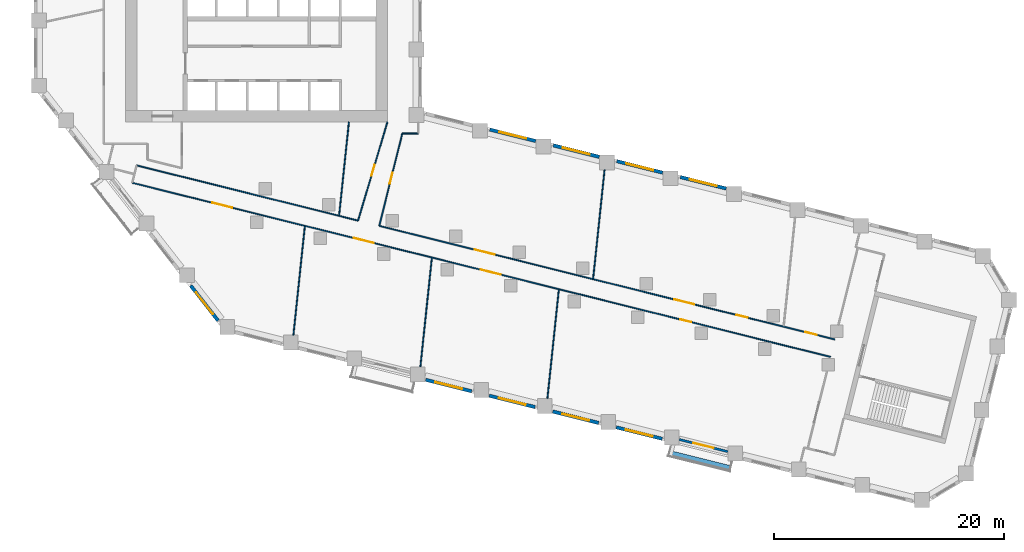
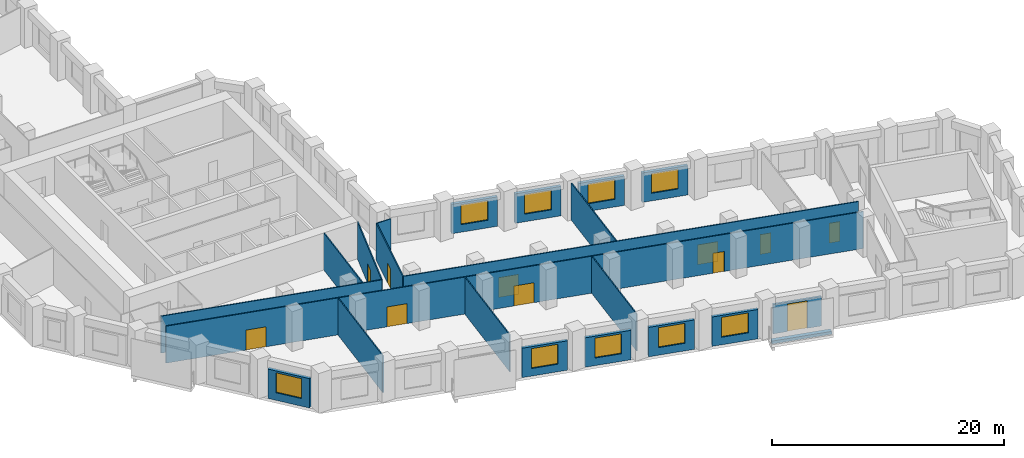
# One storey, part 3 of 11: 22 walls, 11 doors, 9 windows, 20 openings.
"""IFC4 building model written with IfcOpenShell, lengths in metres."""

from ifc_helpers import new_model, si_unit, direction, frame, frame_2d, origin, place, context, subcontext, project, spatial, rectangle, extrude, material, layer, layer_set, type_object, element, fill, save


model = new_model("IFC4")

# Units and contexts
model_context = context("Model", 3, precision=1e-05, world=origin(), true_north=direction((0.0, 1.0)))
body_context = subcontext(model_context, "Body", "Model", "MODEL_VIEW")
ifc_project = project(units=[si_unit("LENGTHUNIT", "METRE"), si_unit("AREAUNIT", "SQUARE_METRE"), si_unit("VOLUMEUNIT", "CUBIC_METRE"), si_unit("PLANEANGLEUNIT", "RADIAN"), si_unit("MASSUNIT", "GRAM", prefix="KILO")], contexts=[model_context])

# Site, building, storey
site_placement = place(None, origin())
site = spatial("IfcSite", under=ifc_project, at=site_placement, CompositionType="ELEMENT")
building_placement = place(site_placement, origin())
building = spatial("IfcBuilding", under=site, at=building_placement, Name="Meshkara Civic Tower", CompositionType="ELEMENT")
storey_placement = place(building_placement, frame((0.0, 0.0, 139.199951171875)))
storey = spatial("IfcBuildingStorey", under=building, at=storey_placement, Name="L31", CompositionType="ELEMENT", Elevation=139.199951171875)

# Wall, openings, doors
ifc_material_1 = material(Name="Corridor wall 100")
ifc_layer_1 = layer(ifc_material_1, 0.10009765625)
ifc_layer_set_1 = layer_set([ifc_layer_1], Name="Corridor wall 100")
wall_type_1 = type_object("IfcWallType", Name="Corridor wall 100", PredefinedType="PARTITIONING", material=ifc_layer_set_1)
wall_1_placement = place(storey_placement, frame((8.5791015625, 8.802978515625, 0.0), z_axis=(0.0, 0.0, 1.0), x_axis=(0.970298569476, -0.241910491863, 0.0)))
wall_1 = element("IfcWall", 1, at=wall_1_placement, inside=storey, type_object=wall_type_1, Name="L31-W006", PredefinedType="PARTITIONING", context=body_context, shape_type="SweptSolid", body=[
    extrude(rectangle(XDim=62.675537109375, YDim=0.10009765625, at=frame_2d((31.337890625, 0.0))), origin(), (0.0, 0.0, 1.0), 3.900146484375),
])
opening_1_placement = place(wall_1_placement, frame((49.173095703125, 0.0, 0.0)))
opening_1 = element("IfcOpeningElement", 2, at=opening_1_placement, cuts=wall_1, Name="Opening L31-D004", PredefinedType="OPENING", context=body_context, shape_type="SweptSolid", body=[
    extrude(rectangle(XDim=1.0, YDim=2.10009765625, at=frame_2d((0.5, 1.050048828125))), frame((0.0, 0.06005859375, 0.0), z_axis=(0.0, -1.0, 0.0), x_axis=(1.0, 0.0, 0.0)), (0.0, 0.0, 1.0), 0.1201171875),
])
opening_2_placement = place(wall_1_placement, frame((19.873046875, 0.0, 0.0)))
opening_2 = element("IfcOpeningElement", 3, at=opening_2_placement, cuts=wall_1, Name="Opening L31-D007", PredefinedType="OPENING", context=body_context, shape_type="SweptSolid", body=[
    extrude(rectangle(XDim=1.800048828125, YDim=2.10009765625, at=frame_2d((0.89990234375, 1.050048828125))), frame((0.0, 0.06005859375, 0.0), z_axis=(0.0, -1.0, 0.0), x_axis=(1.0, 0.0, 0.0)), (0.0, 0.0, 1.0), 0.1201171875),
])
opening_3_placement = place(wall_1_placement, frame((31.27294921875, 0.0, 0.0)))
opening_3 = element("IfcOpeningElement", 4, at=opening_3_placement, cuts=wall_1, Name="Opening L31-D009", PredefinedType="OPENING", context=body_context, shape_type="SweptSolid", body=[
    extrude(rectangle(XDim=1.800048828125, YDim=2.10009765625, at=frame_2d((0.89990234375, 1.050048828125))), frame((0.0, 0.06005859375, 0.0), z_axis=(0.0, -1.0, 0.0), x_axis=(1.0, 0.0, 0.0)), (0.0, 0.0, 1.0), 0.1201171875),
])
opening_4_placement = place(wall_1_placement, frame((7.179931640625, 0.0, 0.0)))
opening_4 = element("IfcOpeningElement", 5, at=opening_4_placement, cuts=wall_1, Name="Opening L31-D011", PredefinedType="OPENING", context=body_context, shape_type="SweptSolid", body=[
    extrude(rectangle(XDim=1.800048828125, YDim=2.10009765625, at=frame_2d((0.89990234375, 1.050048828125))), frame((0.0, 0.06005859375, 0.0), z_axis=(0.0, -1.0, 0.0), x_axis=(1.0, 0.0, 0.0)), (0.0, 0.0, 1.0), 0.1201171875),
])
ifc_material_2 = material(Name="Door 1000 x 2100")
door_type_1 = type_object("IfcDoorType", Name="Door 1000 x 2100", OperationType="SINGLE_SWING_LEFT", PredefinedType="DOOR", material=ifc_material_2)
door_1_placement = place(opening_1_placement, origin())
door_1 = element("IfcDoor", 6, at=door_1_placement, inside=storey, type_object=door_type_1, Name="L31-D004", OperationType="SINGLE_SWING_RIGHT", OverallHeight=2.10009765625, OverallWidth=1.0, PredefinedType="DOOR", context=body_context, shape_type="SweptSolid", body=[
    extrude(rectangle(XDim=1.0, YDim=2.10009765625, at=frame_2d((0.5, 1.050048828125))), frame((0.0, 0.02490234375, 0.0), z_axis=(0.0, -1.0, 0.0), x_axis=(1.0, 0.0, 0.0)), (0.0, 0.0, 1.0), 0.050048828125),
])
fill(opening_1, door_1)
ifc_material_3 = material(Name="Door pair 1800 x 2100")
door_type_2 = type_object("IfcDoorType", Name="Door pair 1800 x 2100", OperationType="SINGLE_SWING_LEFT", PredefinedType="DOOR", material=ifc_material_3)
door_2_placement = place(opening_2_placement, origin())
door_2 = element("IfcDoor", 7, at=door_2_placement, inside=storey, type_object=door_type_2, Name="L31-D007", OperationType="DOUBLE_DOOR_SINGLE_SWING", OverallHeight=2.10009765625, OverallWidth=1.800048828125, PredefinedType="DOOR", context=body_context, shape_type="SweptSolid", body=[
    extrude(rectangle(XDim=1.800048828125, YDim=2.10009765625, at=frame_2d((0.89990234375, 1.050048828125))), frame((0.0, 0.02490234375, 0.0), z_axis=(0.0, -1.0, 0.0), x_axis=(1.0, 0.0, 0.0)), (0.0, 0.0, 1.0), 0.050048828125),
])
fill(opening_2, door_2)
door_3_placement = place(opening_3_placement, origin())
door_3 = element("IfcDoor", 8, at=door_3_placement, inside=storey, type_object=door_type_2, Name="L31-D009", OperationType="DOUBLE_DOOR_SINGLE_SWING", OverallHeight=2.10009765625, OverallWidth=1.800048828125, PredefinedType="DOOR", context=body_context, shape_type="SweptSolid", body=[
    extrude(rectangle(XDim=1.800048828125, YDim=2.10009765625, at=frame_2d((0.89990234375, 1.050048828125))), frame((0.0, 0.02490234375, 0.0), z_axis=(0.0, -1.0, 0.0), x_axis=(1.0, 0.0, 0.0)), (0.0, 0.0, 1.0), 0.050048828125),
])
fill(opening_3, door_3)
door_4_placement = place(opening_4_placement, origin())
door_4 = element("IfcDoor", 9, at=door_4_placement, inside=storey, type_object=door_type_2, Name="L31-D011", OperationType="DOUBLE_DOOR_SINGLE_SWING", OverallHeight=2.10009765625, OverallWidth=1.800048828125, PredefinedType="DOOR", context=body_context, shape_type="SweptSolid", body=[
    extrude(rectangle(XDim=1.800048828125, YDim=2.10009765625, at=frame_2d((0.89990234375, 1.050048828125))), frame((0.0, 0.02490234375, 0.0), z_axis=(0.0, -1.0, 0.0), x_axis=(1.0, 0.0, 0.0)), (0.0, 0.0, 1.0), 0.050048828125),
])
fill(opening_4, door_4)

# Wall
wall_2_placement = place(storey_placement, frame((8.9580078125, 10.322998046875, 0.0), z_axis=(0.0, 0.0, 1.0), x_axis=(0.970298340477, -0.241911410372, 0.0)))
element("IfcWall", 10, at=wall_2_placement, inside=storey, type_object=wall_type_1, Name="L31-W007", PredefinedType="PARTITIONING", context=body_context, shape_type="SweptSolid", body=[
    extrude(rectangle(XDim=19.879638671875, YDim=0.10009765625, at=frame_2d((9.93994140625, 0.0))), origin(), (0.0, 0.0, 1.0), 3.900146484375),
])

# Wall, openings, doors
wall_3_placement = place(storey_placement, frame((30.091064453125, 5.053955078125, 0.0), z_axis=(0.0, 0.0, 1.0), x_axis=(0.970297171036, -0.24191610091, 0.0)))
wall_3 = element("IfcWall", 11, at=wall_3_placement, inside=storey, type_object=wall_type_1, Name="L31-W020", PredefinedType="PARTITIONING", context=body_context, shape_type="SweptSolid", body=[
    extrude(rectangle(XDim=40.89453125, YDim=0.10009765625, at=frame_2d((20.447265625, 0.0))), origin(), (0.0, 0.0, 1.0), 3.900146484375),
])
opening_5_placement = place(wall_3_placement, frame((26.462890625, 0.0, 0.0)))
opening_5 = element("IfcOpeningElement", 12, at=opening_5_placement, cuts=wall_3, Name="Opening L31-D003", PredefinedType="OPENING", context=body_context, shape_type="SweptSolid", body=[
    extrude(rectangle(XDim=1.800048828125, YDim=2.10009765625, at=frame_2d((0.89990234375, 1.050048828125))), frame((0.0, 0.06005859375, 0.0), z_axis=(0.0, -1.0, 0.0), x_axis=(1.0, 0.0, 0.0)), (0.0, 0.0, 1.0), 0.1201171875),
])
opening_6_placement = place(wall_3_placement, frame((32.06298828125, 0.0, 0.0)))
opening_6 = element("IfcOpeningElement", 13, at=opening_6_placement, cuts=wall_3, Name="Opening L31-D005", PredefinedType="OPENING", context=body_context, shape_type="SweptSolid", body=[
    extrude(rectangle(XDim=1.0, YDim=2.10009765625, at=frame_2d((0.5, 1.050048828125))), frame((0.0, 0.06005859375, 0.0), z_axis=(0.0, -1.0, 0.0), x_axis=(1.0, 0.0, 0.0)), (0.0, 0.0, 1.0), 0.1201171875),
])
opening_7_placement = place(wall_3_placement, frame((38.262939453125, 0.0, 0.0)))
opening_7 = element("IfcOpeningElement", 14, at=opening_7_placement, cuts=wall_3, Name="Opening L31-D006", PredefinedType="OPENING", context=body_context, shape_type="SweptSolid", body=[
    extrude(rectangle(XDim=1.0, YDim=2.10009765625, at=frame_2d((0.5, 1.050048828125))), frame((0.0, 0.06005859375, 0.0), z_axis=(0.0, -1.0, 0.0), x_axis=(1.0, 0.0, 0.0)), (0.0, 0.0, 1.0), 0.1201171875),
])
opening_8_placement = place(wall_3_placement, frame((8.580078125, 0.0, 0.0)))
opening_8 = element("IfcOpeningElement", 15, at=opening_8_placement, cuts=wall_3, Name="Opening L31-D008", PredefinedType="OPENING", context=body_context, shape_type="SweptSolid", body=[
    extrude(rectangle(XDim=1.800048828125, YDim=2.10009765625, at=frame_2d((0.89990234375, 1.050048828125))), frame((0.0, 0.06005859375, 0.0), z_axis=(0.0, -1.0, 0.0), x_axis=(1.0, 0.0, 0.0)), (0.0, 0.0, 1.0), 0.1201171875),
])
door_5_placement = place(opening_6_placement, origin())
door_5 = element("IfcDoor", 16, at=door_5_placement, inside=storey, type_object=door_type_1, Name="L31-D005", OperationType="SINGLE_SWING_RIGHT", OverallHeight=2.10009765625, OverallWidth=1.0, PredefinedType="DOOR", context=body_context, shape_type="SweptSolid", body=[
    extrude(rectangle(XDim=1.0, YDim=2.10009765625, at=frame_2d((0.5, 1.050048828125))), frame((0.0, 0.02490234375, 0.0), z_axis=(0.0, -1.0, 0.0), x_axis=(1.0, 0.0, 0.0)), (0.0, 0.0, 1.0), 0.050048828125),
])
fill(opening_6, door_5)
door_6_placement = place(opening_7_placement, origin())
door_6 = element("IfcDoor", 17, at=door_6_placement, inside=storey, type_object=door_type_1, Name="L31-D006", OperationType="SINGLE_SWING_RIGHT", OverallHeight=2.10009765625, OverallWidth=1.0, PredefinedType="DOOR", context=body_context, shape_type="SweptSolid", body=[
    extrude(rectangle(XDim=1.0, YDim=2.10009765625, at=frame_2d((0.5, 1.050048828125))), frame((0.0, 0.02490234375, 0.0), z_axis=(0.0, -1.0, 0.0), x_axis=(1.0, 0.0, 0.0)), (0.0, 0.0, 1.0), 0.050048828125),
])
fill(opening_7, door_6)
door_7_placement = place(opening_5_placement, origin())
door_7 = element("IfcDoor", 18, at=door_7_placement, inside=storey, type_object=door_type_2, Name="L31-D003", OperationType="DOUBLE_DOOR_SINGLE_SWING", OverallHeight=2.10009765625, OverallWidth=1.800048828125, PredefinedType="DOOR", context=body_context, shape_type="SweptSolid", body=[
    extrude(rectangle(XDim=1.800048828125, YDim=2.10009765625, at=frame_2d((0.89990234375, 1.050048828125))), frame((0.0, 0.02490234375, 0.0), z_axis=(0.0, -1.0, 0.0), x_axis=(1.0, 0.0, 0.0)), (0.0, 0.0, 1.0), 0.050048828125),
])
fill(opening_5, door_7)
door_8_placement = place(opening_8_placement, origin())
door_8 = element("IfcDoor", 19, at=door_8_placement, inside=storey, type_object=door_type_2, Name="L31-D008", OperationType="DOUBLE_DOOR_SINGLE_SWING", OverallHeight=2.10009765625, OverallWidth=1.800048828125, PredefinedType="DOOR", context=body_context, shape_type="SweptSolid", body=[
    extrude(rectangle(XDim=1.800048828125, YDim=2.10009765625, at=frame_2d((0.89990234375, 1.050048828125))), frame((0.0, 0.02490234375, 0.0), z_axis=(0.0, -1.0, 0.0), x_axis=(1.0, 0.0, 0.0)), (0.0, 0.0, 1.0), 0.050048828125),
])
fill(opening_8, door_8)

# Wall, opening, door
wall_4_placement = place(storey_placement, frame((30.091064453125, 5.053955078125, 0.0), z_axis=(0.0, 0.0, 1.0), x_axis=(0.241891322374, 0.970303348526, 0.0)))
wall_4 = element("IfcWall", 20, at=wall_4_placement, inside=storey, type_object=wall_type_1, Name="L31-W021", PredefinedType="PARTITIONING", context=body_context, shape_type="SweptSolid", body=[
    extrude(rectangle(XDim=8.29248046875, YDim=0.10009765625, at=frame_2d((4.146240234375, 0.0))), origin(), (0.0, 0.0, 1.0), 3.900146484375),
])
opening_9_placement = place(wall_4_placement, frame((3.780029296875, 0.0, 0.0)))
opening_9 = element("IfcOpeningElement", 21, at=opening_9_placement, cuts=wall_4, Name="Opening L31-D013", PredefinedType="OPENING", context=body_context, shape_type="SweptSolid", body=[
    extrude(rectangle(XDim=1.0, YDim=2.10009765625, at=frame_2d((0.5, 1.050048828125))), frame((0.0, 0.06005859375, 0.0), z_axis=(0.0, -1.0, 0.0), x_axis=(1.0, 0.0, 0.0)), (0.0, 0.0, 1.0), 0.1201171875),
])
door_9_placement = place(opening_9_placement, origin())
door_9 = element("IfcDoor", 22, at=door_9_placement, inside=storey, type_object=door_type_1, Name="L31-D013", OperationType="SINGLE_SWING_LEFT", OverallHeight=2.10009765625, OverallWidth=1.0, PredefinedType="DOOR", context=body_context, shape_type="SweptSolid", body=[
    extrude(rectangle(XDim=1.0, YDim=2.10009765625, at=frame_2d((0.5, 1.050048828125))), frame((0.0, 0.02490234375, 0.0), z_axis=(0.0, -1.0, 0.0), x_axis=(1.0, 0.0, 0.0)), (0.0, 0.0, 1.0), 0.050048828125),
])
fill(opening_9, door_9)

wall_5_placement = place(storey_placement, frame((30.800048828125, 14.10009765625, 0.0), z_axis=(0.0, 0.0, 1.0), x_axis=(-0.285004107837, -0.958526295162, 0.0)))
wall_5 = element("IfcWall", 23, at=wall_5_placement, inside=storey, type_object=wall_type_1, Name="L31-W022", PredefinedType="PARTITIONING", context=body_context, shape_type="SweptSolid", body=[
    extrude(rectangle(XDim=8.957763671875, YDim=0.10009765625, at=frame_2d((4.47900390625, 0.0))), origin(), (0.0, 0.0, 1.0), 3.900146484375),
])
opening_10_placement = place(wall_5_placement, frame((3.8798828125, 0.0, 0.0)))
opening_10 = element("IfcOpeningElement", 24, at=opening_10_placement, cuts=wall_5, Name="Opening L31-D012", PredefinedType="OPENING", context=body_context, shape_type="SweptSolid", body=[
    extrude(rectangle(XDim=1.0, YDim=2.10009765625, at=frame_2d((0.5, 1.050048828125))), frame((0.0, 0.06005859375, 0.0), z_axis=(0.0, -1.0, 0.0), x_axis=(1.0, 0.0, 0.0)), (0.0, 0.0, 1.0), 0.1201171875),
])
door_10_placement = place(opening_10_placement, origin())
door_10 = element("IfcDoor", 25, at=door_10_placement, inside=storey, type_object=door_type_1, Name="L31-D012", OperationType="SINGLE_SWING_RIGHT", OverallHeight=2.10009765625, OverallWidth=1.0, PredefinedType="DOOR", context=body_context, shape_type="SweptSolid", body=[
    extrude(rectangle(XDim=1.0, YDim=2.10009765625, at=frame_2d((0.5, 1.050048828125))), frame((0.0, 0.02490234375, 0.0), z_axis=(0.0, -1.0, 0.0), x_axis=(1.0, 0.0, 0.0)), (0.0, 0.0, 1.0), 0.050048828125),
])
fill(opening_10, door_10)

# Wall
wall_6_placement = place(storey_placement, frame((32.096923828125, 13.10009765625, 0.0), z_axis=(0.0, 0.0, 1.0), x_axis=(1.0, 0.0, 0.0)))
element("IfcWall", 26, at=wall_6_placement, inside=storey, type_object=wall_type_1, Name="L31-W023", PredefinedType="PARTITIONING", context=body_context, shape_type="SweptSolid", body=[
    extrude(rectangle(XDim=1.403076171875, YDim=0.10009765625, at=frame_2d((0.70166015625, 0.0))), origin(), (0.0, 0.0, 1.0), 3.900146484375),
])

# Wall, opening, window
ifc_material_4 = material(Name="Insulated infill panel with bronze anodised aluminium cladding", Category="aluminium")
ifc_layer_2 = layer(ifc_material_4, 0.300048828125)
ifc_layer_set_2 = layer_set([ifc_layer_2], Name="EXTERNAL INFILL WALL 300")
wall_type_2 = type_object("IfcWallType", Name="EXTERNAL INFILL WALL 300", PredefinedType="SOLIDWALL", material=ifc_layer_set_2)
wall_7_placement = place(storey_placement, frame((60.31103515625, 8.305908203125, 0.0), z_axis=(0.0, 0.0, 1.0), x_axis=(-0.970267747908, 0.242034083076, 0.0)))
wall_7 = element("IfcWall", 27, at=wall_7_placement, inside=storey, type_object=wall_type_2, Name="External wall", PredefinedType="SOLIDWALL", context=body_context, shape_type="SweptSolid", body=[
    extrude(rectangle(XDim=4.12353515625, YDim=0.300048828125, at=frame_2d((2.061767578125, 0.0))), origin(), (0.0, 0.0, 1.0), 3.10009765625),
])
opening_11_placement = place(wall_7_placement, frame((0.862060546875, 0.0, 0.800048828125)))
opening_11 = element("IfcOpeningElement", 28, at=opening_11_placement, cuts=wall_7, Name="Opening W7", PredefinedType="OPENING", context=body_context, shape_type="SweptSolid", body=[
    extrude(rectangle(XDim=2.39990234375, YDim=2.10009765625, at=frame_2d((1.199951171875, 1.050048828125))), frame((0.0, 0.159912109375, 0.0), z_axis=(0.0, -1.0, 0.0), x_axis=(1.0, 0.0, 0.0)), (0.0, 0.0, 1.0), 0.320068359375),
])
ifc_material_5 = material(Name="Tinted double glazing", Category="glass")
window_type = type_object("IfcWindowType", Name="WINDOW 2400x2100", PartitioningType="DOUBLE_PANEL_VERTICAL", PredefinedType="WINDOW", material=ifc_material_5)
window_1_placement = place(opening_11_placement, origin())
window_1 = element("IfcWindow", 29, at=window_1_placement, inside=storey, type_object=window_type, Name="Window", OverallHeight=2.10009765625, OverallWidth=2.39990234375, PartitioningType="DOUBLE_PANEL_VERTICAL", PredefinedType="WINDOW", context=body_context, shape_type="SweptSolid", body=[
    extrude(rectangle(XDim=2.39990234375, YDim=2.10009765625, at=frame_2d((1.199951171875, 1.050048828125))), frame((0.0, 0.030029296875, 0.0), z_axis=(0.0, -1.0, 0.0), x_axis=(1.0, 0.0, 0.0)), (0.0, 0.0, 1.0), 0.06005859375),
])
fill(opening_11, window_1)

wall_8_placement = place(storey_placement, frame((54.781005859375, 9.68505859375, 0.0), z_axis=(0.0, 0.0, 1.0), x_axis=(-0.970281616392, 0.241978480223, 0.0)))
wall_8 = element("IfcWall", 30, at=wall_8_placement, inside=storey, type_object=wall_type_2, Name="External wall", PredefinedType="SOLIDWALL", context=body_context, shape_type="SweptSolid", body=[
    extrude(rectangle(XDim=4.12451171875, YDim=0.300048828125, at=frame_2d((2.062255859375, 0.0))), origin(), (0.0, 0.0, 1.0), 3.10009765625),
])
opening_12_placement = place(wall_8_placement, frame((0.862060546875, 0.0, 0.800048828125)))
opening_12 = element("IfcOpeningElement", 31, at=opening_12_placement, cuts=wall_8, Name="Opening W7", PredefinedType="OPENING", context=body_context, shape_type="SweptSolid", body=[
    extrude(rectangle(XDim=2.39990234375, YDim=2.10009765625, at=frame_2d((1.199951171875, 1.050048828125))), frame((0.0, 0.159912109375, 0.0), z_axis=(0.0, -1.0, 0.0), x_axis=(1.0, 0.0, 0.0)), (0.0, 0.0, 1.0), 0.320068359375),
])
window_2_placement = place(opening_12_placement, origin())
window_2 = element("IfcWindow", 32, at=window_2_placement, inside=storey, type_object=window_type, Name="Window", OverallHeight=2.10009765625, OverallWidth=2.39990234375, PartitioningType="DOUBLE_PANEL_VERTICAL", PredefinedType="WINDOW", context=body_context, shape_type="SweptSolid", body=[
    extrude(rectangle(XDim=2.39990234375, YDim=2.10009765625, at=frame_2d((1.199951171875, 1.050048828125))), frame((0.0, 0.030029296875, 0.0), z_axis=(0.0, -1.0, 0.0), x_axis=(1.0, 0.0, 0.0)), (0.0, 0.0, 1.0), 0.06005859375),
])
fill(opening_12, window_2)

wall_9_placement = place(storey_placement, frame((49.25, 11.06396484375, 0.0), z_axis=(0.0, 0.0, 1.0), x_axis=(-0.970281616392, 0.241978480223, 0.0)))
wall_9 = element("IfcWall", 33, at=wall_9_placement, inside=storey, type_object=wall_type_2, Name="External wall", PredefinedType="SOLIDWALL", context=body_context, shape_type="SweptSolid", body=[
    extrude(rectangle(XDim=4.12451171875, YDim=0.300048828125, at=frame_2d((2.062255859375, 0.0))), origin(), (0.0, 0.0, 1.0), 3.10009765625),
])
opening_13_placement = place(wall_9_placement, frame((0.862060546875, 0.0, 0.800048828125)))
opening_13 = element("IfcOpeningElement", 34, at=opening_13_placement, cuts=wall_9, Name="Opening W7", PredefinedType="OPENING", context=body_context, shape_type="SweptSolid", body=[
    extrude(rectangle(XDim=2.39990234375, YDim=2.10009765625, at=frame_2d((1.199951171875, 1.050048828125))), frame((0.0, 0.159912109375, 0.0), z_axis=(0.0, -1.0, 0.0), x_axis=(1.0, 0.0, 0.0)), (0.0, 0.0, 1.0), 0.320068359375),
])
window_3_placement = place(opening_13_placement, origin())
window_3 = element("IfcWindow", 35, at=window_3_placement, inside=storey, type_object=window_type, Name="Window", OverallHeight=2.10009765625, OverallWidth=2.39990234375, PartitioningType="DOUBLE_PANEL_VERTICAL", PredefinedType="WINDOW", context=body_context, shape_type="SweptSolid", body=[
    extrude(rectangle(XDim=2.39990234375, YDim=2.10009765625, at=frame_2d((1.199951171875, 1.050048828125))), frame((0.0, 0.030029296875, 0.0), z_axis=(0.0, -1.0, 0.0), x_axis=(1.0, 0.0, 0.0)), (0.0, 0.0, 1.0), 0.06005859375),
])
fill(opening_13, window_3)

wall_10_placement = place(storey_placement, frame((43.718994140625, 12.443115234375, 0.0), z_axis=(0.0, 0.0, 1.0), x_axis=(-0.970281650314, 0.241978344205, 0.0)))
wall_10 = element("IfcWall", 36, at=wall_10_placement, inside=storey, type_object=wall_type_2, Name="External wall", PredefinedType="SOLIDWALL", context=body_context, shape_type="SweptSolid", body=[
    extrude(rectangle(XDim=4.12353515625, YDim=0.300048828125, at=frame_2d((2.061767578125, 0.0))), origin(), (0.0, 0.0, 1.0), 3.10009765625),
])
opening_14_placement = place(wall_10_placement, frame((0.862060546875, 0.0, 0.800048828125)))
opening_14 = element("IfcOpeningElement", 37, at=opening_14_placement, cuts=wall_10, Name="Opening W7", PredefinedType="OPENING", context=body_context, shape_type="SweptSolid", body=[
    extrude(rectangle(XDim=2.39990234375, YDim=2.10009765625, at=frame_2d((1.199951171875, 1.050048828125))), frame((0.0, 0.159912109375, 0.0), z_axis=(0.0, -1.0, 0.0), x_axis=(1.0, 0.0, 0.0)), (0.0, 0.0, 1.0), 0.320068359375),
])
window_4_placement = place(opening_14_placement, origin())
window_4 = element("IfcWindow", 38, at=window_4_placement, inside=storey, type_object=window_type, Name="Window", OverallHeight=2.10009765625, OverallWidth=2.39990234375, PartitioningType="DOUBLE_PANEL_VERTICAL", PredefinedType="WINDOW", context=body_context, shape_type="SweptSolid", body=[
    extrude(rectangle(XDim=2.39990234375, YDim=2.10009765625, at=frame_2d((1.199951171875, 1.050048828125))), frame((0.0, 0.030029296875, 0.0), z_axis=(0.0, -1.0, 0.0), x_axis=(1.0, 0.0, 0.0)), (0.0, 0.0, 1.0), 0.06005859375),
])
fill(opening_14, window_4)

wall_11_placement = place(storey_placement, frame((13.6669921875, -0.14990234375, 0.0), z_axis=(0.0, 0.0, 1.0), x_axis=(0.615626928003, -0.788037743714, 0.0)))
wall_11 = element("IfcWall", 39, at=wall_11_placement, inside=storey, type_object=wall_type_2, Name="External wall", PredefinedType="SOLIDWALL", context=body_context, shape_type="SweptSolid", body=[
    extrude(rectangle(XDim=3.875732421875, YDim=0.300048828125, at=frame_2d((1.93798828125, 0.0))), origin(), (0.0, 0.0, 1.0), 3.10009765625),
])
opening_15_placement = place(wall_11_placement, frame((0.738037109375, 0.0, 0.800048828125)))
opening_15 = element("IfcOpeningElement", 40, at=opening_15_placement, cuts=wall_11, Name="Opening W7", PredefinedType="OPENING", context=body_context, shape_type="SweptSolid", body=[
    extrude(rectangle(XDim=2.39990234375, YDim=2.10009765625, at=frame_2d((1.199951171875, 1.050048828125))), frame((0.0, 0.159912109375, 0.0), z_axis=(0.0, -1.0, 0.0), x_axis=(1.0, 0.0, 0.0)), (0.0, 0.0, 1.0), 0.320068359375),
])
window_5_placement = place(opening_15_placement, origin())
window_5 = element("IfcWindow", 41, at=window_5_placement, inside=storey, type_object=window_type, Name="Window", OverallHeight=2.10009765625, OverallWidth=2.39990234375, PartitioningType="DOUBLE_PANEL_VERTICAL", PredefinedType="WINDOW", context=body_context, shape_type="SweptSolid", body=[
    extrude(rectangle(XDim=2.39990234375, YDim=2.10009765625, at=frame_2d((1.199951171875, 1.050048828125))), frame((0.0, 0.030029296875, 0.0), z_axis=(0.0, -1.0, 0.0), x_axis=(1.0, 0.0, 0.0)), (0.0, 0.0, 1.0), 0.06005859375),
])
fill(opening_15, window_5)

wall_12_placement = place(storey_placement, frame((34.135009765625, -8.35595703125, 0.0), z_axis=(0.0, 0.0, 1.0), x_axis=(0.970281616392, -0.241978480223, 0.0)))
wall_12 = element("IfcWall", 42, at=wall_12_placement, inside=storey, type_object=wall_type_2, Name="External wall", PredefinedType="SOLIDWALL", context=body_context, shape_type="SweptSolid", body=[
    extrude(rectangle(XDim=4.12451171875, YDim=0.300048828125, at=frame_2d((2.062255859375, 0.0))), origin(), (0.0, 0.0, 1.0), 3.10009765625),
])
opening_16_placement = place(wall_12_placement, frame((0.862060546875, 0.0, 0.800048828125)))
opening_16 = element("IfcOpeningElement", 43, at=opening_16_placement, cuts=wall_12, Name="Opening W7", PredefinedType="OPENING", context=body_context, shape_type="SweptSolid", body=[
    extrude(rectangle(XDim=2.39990234375, YDim=2.10009765625, at=frame_2d((1.199951171875, 1.050048828125))), frame((0.0, 0.159912109375, 0.0), z_axis=(0.0, -1.0, 0.0), x_axis=(1.0, 0.0, 0.0)), (0.0, 0.0, 1.0), 0.320068359375),
])
window_6_placement = place(opening_16_placement, origin())
window_6 = element("IfcWindow", 44, at=window_6_placement, inside=storey, type_object=window_type, Name="Window", OverallHeight=2.10009765625, OverallWidth=2.39990234375, PartitioningType="DOUBLE_PANEL_VERTICAL", PredefinedType="WINDOW", context=body_context, shape_type="SweptSolid", body=[
    extrude(rectangle(XDim=2.39990234375, YDim=2.10009765625, at=frame_2d((1.199951171875, 1.050048828125))), frame((0.0, 0.030029296875, 0.0), z_axis=(0.0, -1.0, 0.0), x_axis=(1.0, 0.0, 0.0)), (0.0, 0.0, 1.0), 0.06005859375),
])
fill(opening_16, window_6)

wall_13_placement = place(storey_placement, frame((39.666015625, -9.735107421875, 0.0), z_axis=(0.0, 0.0, 1.0), x_axis=(0.97029551261, -0.241922752565, 0.0)))
wall_13 = element("IfcWall", 45, at=wall_13_placement, inside=storey, type_object=wall_type_2, Name="External wall", PredefinedType="SOLIDWALL", context=body_context, shape_type="SweptSolid", body=[
    extrude(rectangle(XDim=4.12451171875, YDim=0.300048828125, at=frame_2d((2.062255859375, 0.0))), origin(), (0.0, 0.0, 1.0), 3.10009765625),
])
opening_17_placement = place(wall_13_placement, frame((0.862060546875, 0.0, 0.800048828125)))
opening_17 = element("IfcOpeningElement", 46, at=opening_17_placement, cuts=wall_13, Name="Opening W7", PredefinedType="OPENING", context=body_context, shape_type="SweptSolid", body=[
    extrude(rectangle(XDim=2.39990234375, YDim=2.10009765625, at=frame_2d((1.199951171875, 1.050048828125))), frame((0.0, 0.159912109375, 0.0), z_axis=(0.0, -1.0, 0.0), x_axis=(1.0, 0.0, 0.0)), (0.0, 0.0, 1.0), 0.320068359375),
])
window_7_placement = place(opening_17_placement, origin())
window_7 = element("IfcWindow", 47, at=window_7_placement, inside=storey, type_object=window_type, Name="Window", OverallHeight=2.10009765625, OverallWidth=2.39990234375, PartitioningType="DOUBLE_PANEL_VERTICAL", PredefinedType="WINDOW", context=body_context, shape_type="SweptSolid", body=[
    extrude(rectangle(XDim=2.39990234375, YDim=2.10009765625, at=frame_2d((1.199951171875, 1.050048828125))), frame((0.0, 0.030029296875, 0.0), z_axis=(0.0, -1.0, 0.0), x_axis=(1.0, 0.0, 0.0)), (0.0, 0.0, 1.0), 0.06005859375),
])
fill(opening_17, window_7)

wall_14_placement = place(storey_placement, frame((45.197021484375, -11.114013671875, 0.0), z_axis=(0.0, 0.0, 1.0), x_axis=(0.970267747908, -0.242034083076, 0.0)))
wall_14 = element("IfcWall", 48, at=wall_14_placement, inside=storey, type_object=wall_type_2, Name="External wall", PredefinedType="SOLIDWALL", context=body_context, shape_type="SweptSolid", body=[
    extrude(rectangle(XDim=4.12353515625, YDim=0.300048828125, at=frame_2d((2.061767578125, 0.0))), origin(), (0.0, 0.0, 1.0), 3.10009765625),
])
opening_18_placement = place(wall_14_placement, frame((0.862060546875, 0.0, 0.800048828125)))
opening_18 = element("IfcOpeningElement", 49, at=opening_18_placement, cuts=wall_14, Name="Opening W7", PredefinedType="OPENING", context=body_context, shape_type="SweptSolid", body=[
    extrude(rectangle(XDim=2.39990234375, YDim=2.10009765625, at=frame_2d((1.199951171875, 1.050048828125))), frame((0.0, 0.159912109375, 0.0), z_axis=(0.0, -1.0, 0.0), x_axis=(1.0, 0.0, 0.0)), (0.0, 0.0, 1.0), 0.320068359375),
])
window_8_placement = place(opening_18_placement, origin())
window_8 = element("IfcWindow", 50, at=window_8_placement, inside=storey, type_object=window_type, Name="Window", OverallHeight=2.10009765625, OverallWidth=2.39990234375, PartitioningType="DOUBLE_PANEL_VERTICAL", PredefinedType="WINDOW", context=body_context, shape_type="SweptSolid", body=[
    extrude(rectangle(XDim=2.39990234375, YDim=2.10009765625, at=frame_2d((1.199951171875, 1.050048828125))), frame((0.0, 0.030029296875, 0.0), z_axis=(0.0, -1.0, 0.0), x_axis=(1.0, 0.0, 0.0)), (0.0, 0.0, 1.0), 0.06005859375),
])
fill(opening_18, window_8)

wall_15_placement = place(storey_placement, frame((50.72705078125, -12.492919921875, 0.0), z_axis=(0.0, 0.0, 1.0), x_axis=(0.970281616392, -0.241978480223, 0.0)))
wall_15 = element("IfcWall", 51, at=wall_15_placement, inside=storey, type_object=wall_type_2, Name="External wall", PredefinedType="SOLIDWALL", context=body_context, shape_type="SweptSolid", body=[
    extrude(rectangle(XDim=4.12451171875, YDim=0.300048828125, at=frame_2d((2.062255859375, 0.0))), origin(), (0.0, 0.0, 1.0), 3.10009765625),
])
opening_19_placement = place(wall_15_placement, frame((0.862060546875, 0.0, 0.800048828125)))
opening_19 = element("IfcOpeningElement", 52, at=opening_19_placement, cuts=wall_15, Name="Opening W7", PredefinedType="OPENING", context=body_context, shape_type="SweptSolid", body=[
    extrude(rectangle(XDim=2.39990234375, YDim=2.10009765625, at=frame_2d((1.199951171875, 1.050048828125))), frame((0.0, 0.159912109375, 0.0), z_axis=(0.0, -1.0, 0.0), x_axis=(1.0, 0.0, 0.0)), (0.0, 0.0, 1.0), 0.320068359375),
])
window_9_placement = place(opening_19_placement, origin())
window_9 = element("IfcWindow", 53, at=window_9_placement, inside=storey, type_object=window_type, Name="Window", OverallHeight=2.10009765625, OverallWidth=2.39990234375, PartitioningType="DOUBLE_PANEL_VERTICAL", PredefinedType="WINDOW", context=body_context, shape_type="SweptSolid", body=[
    extrude(rectangle(XDim=2.39990234375, YDim=2.10009765625, at=frame_2d((1.199951171875, 1.050048828125))), frame((0.0, 0.030029296875, 0.0), z_axis=(0.0, -1.0, 0.0), x_axis=(1.0, 0.0, 0.0)), (0.0, 0.0, 1.0), 0.06005859375),
])
fill(opening_19, window_9)

# Wall, opening, door
ifc_material_6 = material(Name="Insulated infill panel with bronze anodised aluminium cladding", Category="aluminium")
ifc_layer_3 = layer(ifc_material_6, 0.199951171875)
ifc_layer_set_3 = layer_set([ifc_layer_3], Name="LOGGIA BACK WALL 200")
wall_type_3 = type_object("IfcWallType", Name="LOGGIA BACK WALL 200", PredefinedType="SOLIDWALL", material=ifc_layer_set_3)
wall_16_placement = place(storey_placement, frame((56.216064453125, -13.552001953125, 0.0), z_axis=(0.0, 0.0, 1.0), x_axis=(0.970293811216, -0.241929576357, 0.0)))
wall_16 = element("IfcWall", 54, at=wall_16_placement, inside=storey, type_object=wall_type_3, Name="Loggia wall", PredefinedType="SOLIDWALL", context=body_context, shape_type="SweptSolid", body=[
    extrude(rectangle(XDim=4.360595703125, YDim=0.199951171875, at=frame_2d((2.18017578125, 0.0))), origin(), (0.0, 0.0, 1.0), 3.10009765625),
])
opening_20_placement = place(wall_16_placement, frame((1.280029296875, 0.0, 0.0)))
opening_20 = element("IfcOpeningElement", 55, at=opening_20_placement, cuts=wall_16, Name="Opening L31-L005", PredefinedType="OPENING", context=body_context, shape_type="SweptSolid", body=[
    extrude(rectangle(XDim=1.800048828125, YDim=2.89990234375, at=frame_2d((0.89990234375, 1.449951171875))), frame((0.0, 0.10986328125, 0.0), z_axis=(0.0, -1.0, 0.0), x_axis=(1.0, 0.0, 0.0)), (0.0, 0.0, 1.0), 0.219970703125),
])
ifc_material_7 = material(Name="Tinted double glazing", Category="glass")
door_type_3 = type_object("IfcDoorType", Name="LOGGIA DOOR 1800x2900", OperationType="DOUBLE_DOOR_SINGLE_SWING", PredefinedType="DOOR", material=ifc_material_7)
door_11_placement = place(opening_20_placement, origin())
door_11 = element("IfcDoor", 56, at=door_11_placement, inside=storey, type_object=door_type_3, Name="L31-L005", OperationType="DOUBLE_DOOR_SINGLE_SWING", OverallHeight=2.89990234375, OverallWidth=1.800048828125, PredefinedType="DOOR", context=body_context, shape_type="SweptSolid", body=[
    extrude(rectangle(XDim=1.800048828125, YDim=2.89990234375, at=frame_2d((0.89990234375, 1.449951171875))), frame((0.0, 0.02490234375, 0.0), z_axis=(0.0, -1.0, 0.0), x_axis=(1.0, 0.0, 0.0)), (0.0, 0.0, 1.0), 0.050048828125),
])
fill(opening_20, door_11)

# Walls
ifc_material_8 = material(Name="Concrete C40", Category="concrete")
ifc_layer_4 = layer(ifc_material_8, 0.39990234375)
ifc_layer_set_4 = layer_set([ifc_layer_4], Name="PLANTER TRAY")
wall_type_4 = type_object("IfcWallType", Name="PLANTER TRAY", PredefinedType="SOLIDWALL", material=ifc_layer_set_4)
wall_17_placement = place(storey_placement, frame((55.408935546875, -14.721923828125, 0.0), z_axis=(0.0, 0.0, 1.0), x_axis=(0.970324412772, -0.241806811275, 0.0)))
element("IfcWall", 57, at=wall_17_placement, inside=storey, type_object=wall_type_4, Name="Planter", PredefinedType="SOLIDWALL", context=body_context, shape_type="SweptSolid", body=[
    extrude(rectangle(XDim=5.3603515625, YDim=0.39990234375, at=frame_2d((2.68017578125, 0.0))), origin(), (0.0, 0.0, 1.0), 0.300048828125),
])
ifc_material_9 = material(Name="Partition 100")
ifc_layer_5 = layer(ifc_material_9, 0.10009765625)
ifc_layer_set_5 = layer_set([ifc_layer_5], Name="Partition 100")
wall_type_5 = type_object("IfcWallType", Name="Partition 100", PredefinedType="PARTITIONING", material=ifc_layer_set_5)
wall_18_placement = place(storey_placement, frame((22.611083984375, -4.467041015625, 0.0), z_axis=(0.0, 0.0, 1.0), x_axis=(0.104533890456, 0.994521324933, 0.0)))
element("IfcWall", 58, at=wall_18_placement, inside=storey, type_object=wall_type_5, Name="L31-W044", PredefinedType="PARTITIONING", context=body_context, shape_type="SweptSolid", body=[
    extrude(rectangle(XDim=9.517333984375, YDim=0.10009765625, at=frame_2d((4.7587890625, 0.0))), origin(), (0.0, 0.0, 1.0), 3.900146484375),
])
wall_19_placement = place(storey_placement, frame((26.595947265625, 5.98388671875, 0.0), z_axis=(0.0, 0.0, 1.0), x_axis=(0.104525942371, 0.994522160322, 0.0)))
element("IfcWall", 59, at=wall_19_placement, inside=storey, type_object=wall_type_5, Name="L31-W045", PredefinedType="PARTITIONING", context=body_context, shape_type="SweptSolid", body=[
    extrude(rectangle(XDim=8.160888671875, YDim=0.10009765625, at=frame_2d((4.08056640625, 0.0))), origin(), (0.0, 0.0, 1.0), 3.900146484375),
])
wall_20_placement = place(storey_placement, frame((33.672119140625, -7.22509765625, 0.0), z_axis=(0.0, 0.0, 1.0), x_axis=(0.104533890456, 0.994521324933, 0.0)))
element("IfcWall", 60, at=wall_20_placement, inside=storey, type_object=wall_type_5, Name="L31-W046", PredefinedType="PARTITIONING", context=body_context, shape_type="SweptSolid", body=[
    extrude(rectangle(XDim=9.517333984375, YDim=0.10009765625, at=frame_2d((4.7587890625, 0.0))), origin(), (0.0, 0.0, 1.0), 3.900146484375),
])
for number, where, z_axis, x_axis, name in (
    (61, (44.73388671875, -9.98193359375, 0.0), (0.0, 0.0, 1.0), (0.104572601702, 0.994517255242, 0.0), "L31-W047"),
    (62, (48.718994140625, 0.468017578125, 0.0), (0.0, 0.0, 1.0), (0.104572601702, 0.994517255242, 0.0), "L31-W048"),
):
    element("IfcWall", number, at=place(storey_placement, frame(where, z_axis=z_axis, x_axis=x_axis)), inside=storey, type_object=wall_type_5, Name=name, PredefinedType="PARTITIONING", context=body_context, shape_type="SweptSolid", body=[
        extrude(rectangle(XDim=9.51611328125, YDim=0.10009765625, at=frame_2d((4.758056640625, 0.0))), origin(), (0.0, 0.0, 1.0), 3.900146484375),
    ])

save(model, "model.ifc")
